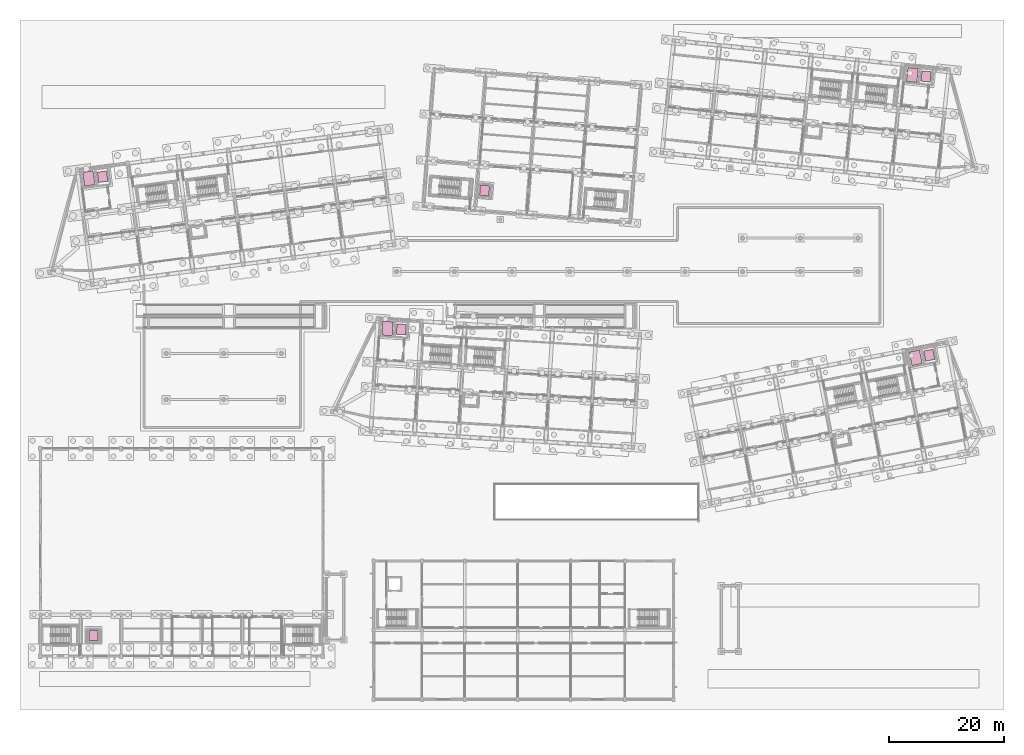
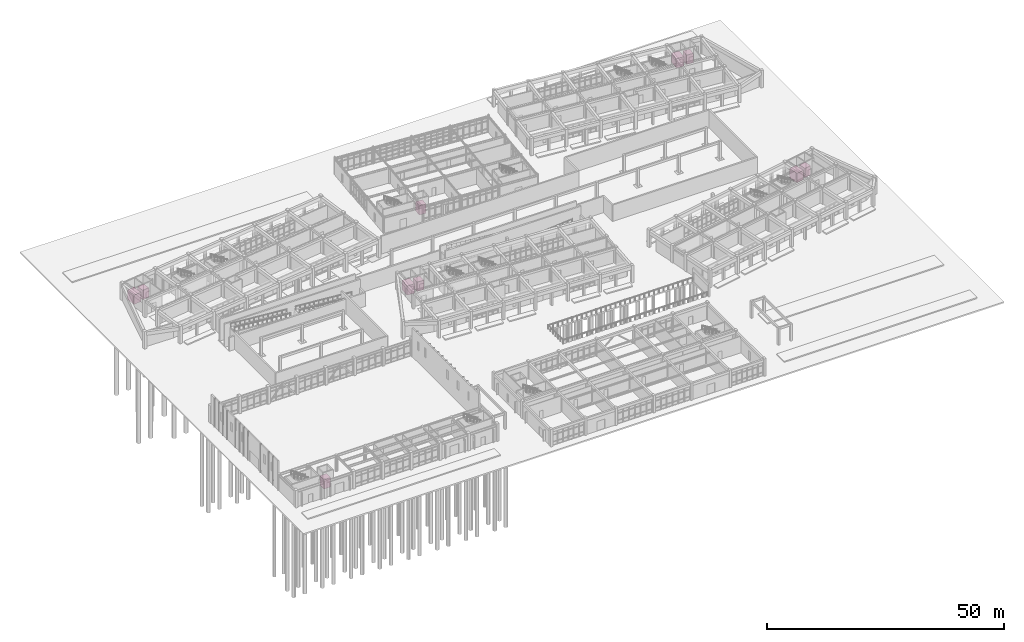
# One storey, part 154 of 154: 10 transport elements.
"""IFC4 building model written with IfcOpenShell, lengths in metres."""

from ifc_helpers import new_model, si_unit, direction, frame, origin, origin_2d, place, context, subcontext, project, spatial, rectangle, extrude, material, type_object, element, save


model = new_model("IFC4")

# Units and contexts
model_context = context("Model", 3, precision=1e-05, world=origin(), true_north=direction((0.0, 1.0)))
body_context = subcontext(model_context, "Body", "Model", "MODEL_VIEW")
ifc_project = project(units=[si_unit("LENGTHUNIT", "METRE"), si_unit("AREAUNIT", "SQUARE_METRE"), si_unit("VOLUMEUNIT", "CUBIC_METRE"), si_unit("PLANEANGLEUNIT", "RADIAN"), si_unit("MASSUNIT", "GRAM", prefix="KILO")], contexts=[model_context])

# Site, building, storey
site_placement = place(None, origin())
site = spatial("IfcSite", under=ifc_project, at=site_placement, CompositionType="ELEMENT")
building_placement = place(site_placement, origin())
building = spatial("IfcBuilding", under=site, at=building_placement, Name="Kestramere Prow Commons", CompositionType="ELEMENT")
storey_placement = place(building_placement, origin())
storey = spatial("IfcBuildingStorey", under=building, at=storey_placement, Name="L00", CompositionType="ELEMENT", Elevation=0.0)

# Transport elements
ifc_material_1 = material(Name="Stainless Steel 316 Fire Lift Car", Category="steel")
transport_element_type_1 = type_object("IfcTransportElementType", Name="TYPE-FL-A1", PredefinedType="ELEVATOR", material=ifc_material_1)
transport_element_1_placement = place(storey_placement, frame((10.59912109375, 90.353515625, 0.0), z_axis=(0.0, 0.0, 1.0), x_axis=(0.991444861374, 0.13052619222, 0.0)))
element("IfcTransportElement", 1, at=transport_element_1_placement, inside=storey, type_object=transport_element_type_1, Name="FL-A1 SCDF Emergency and Stretcher Lift (L00-L13)", PredefinedType="ELEVATOR", context=body_context, shape_type="SweptSolid", body=[
    extrude(rectangle(XDim=1.800048828125, YDim=2.39990234375, at=origin_2d()), origin(), (0.0, 0.0, 1.0), 2.39990234375),
])
transport_element_type_2 = type_object("IfcTransportElementType", Name="TYPE-FL-B1", PredefinedType="ELEVATOR", material=ifc_material_1)
transport_element_2_placement = place(storey_placement, frame((153.449951171875, 108.30712890625, 0.0), z_axis=(0.0, 0.0, 1.0), x_axis=(0.994521895368, -0.104528463268, 0.0)))
element("IfcTransportElement", 2, at=transport_element_2_placement, inside=storey, type_object=transport_element_type_2, Name="FL-B1 SCDF Emergency and Stretcher Lift (L00-L11)", PredefinedType="ELEVATOR", context=body_context, shape_type="SweptSolid", body=[
    extrude(rectangle(XDim=1.800048828125, YDim=2.39990234375, at=origin_2d()), origin(), (0.0, 0.0, 1.0), 2.39990234375),
])
transport_element_type_3 = type_object("IfcTransportElementType", Name="TYPE-FL-C1", PredefinedType="ELEVATOR", material=ifc_material_1)
transport_element_3_placement = place(storey_placement, frame((62.39404296875, 64.33154296875, 0.0), z_axis=(0.0, 0.0, 1.0), x_axis=(0.998134798422, -0.061048539535, 0.0)))
element("IfcTransportElement", 3, at=transport_element_3_placement, inside=storey, type_object=transport_element_type_3, Name="FL-C1 SCDF Emergency and Stretcher Lift (L00-L09)", PredefinedType="ELEVATOR", context=body_context, shape_type="SweptSolid", body=[
    extrude(rectangle(XDim=1.800048828125, YDim=2.39990234375, at=origin_2d()), origin(), (0.0, 0.0, 1.0), 2.39990234375),
])
transport_element_type_4 = type_object("IfcTransportElementType", Name="TYPE-FL-D1", PredefinedType="ELEVATOR", material=ifc_material_1)
transport_element_4_placement = place(storey_placement, frame((154.0390625, 59.239013671875, 0.0), z_axis=(0.0, 0.0, 1.0), x_axis=(0.981627183448, 0.190808995377, 0.0)))
element("IfcTransportElement", 4, at=transport_element_4_placement, inside=storey, type_object=transport_element_type_4, Name="FL-D1 SCDF Emergency and Stretcher Lift (L00-L08)", PredefinedType="ELEVATOR", context=body_context, shape_type="SweptSolid", body=[
    extrude(rectangle(XDim=1.800048828125, YDim=2.39990234375, at=origin_2d()), origin(), (0.0, 0.0, 1.0), 2.39990234375),
])
ifc_material_2 = material(Name="Stainless Steel 304 Passenger Lift Car", Category="steel")
transport_element_type_5 = type_object("IfcTransportElementType", Name="TYPE-PL-A2", PredefinedType="ELEVATOR", material=ifc_material_2)
transport_element_5_placement = place(storey_placement, frame((12.978759765625, 90.666748046875, 0.0), z_axis=(0.0, 0.0, 1.0), x_axis=(0.991444861374, 0.13052619222, 0.0)))
element("IfcTransportElement", 5, at=transport_element_5_placement, inside=storey, type_object=transport_element_type_5, Name="PL-A2 Accessible Passenger Lift (L00-L13)", PredefinedType="ELEVATOR", context=body_context, shape_type="SweptSolid", body=[
    extrude(rectangle(XDim=1.60009765625, YDim=1.800048828125, at=origin_2d()), origin(), (0.0, 0.0, 1.0), 2.39990234375),
])
transport_element_type_6 = type_object("IfcTransportElementType", Name="TYPE-PL-B2", PredefinedType="ELEVATOR", material=ifc_material_2)
transport_element_6_placement = place(storey_placement, frame((155.836669921875, 108.056396484375, 0.0), z_axis=(0.0, 0.0, 1.0), x_axis=(0.994521895368, -0.104528463268, 0.0)))
element("IfcTransportElement", 6, at=transport_element_6_placement, inside=storey, type_object=transport_element_type_6, Name="PL-B2 Accessible Passenger Lift (L00-L11)", PredefinedType="ELEVATOR", context=body_context, shape_type="SweptSolid", body=[
    extrude(rectangle(XDim=1.60009765625, YDim=1.800048828125, at=origin_2d()), origin(), (0.0, 0.0, 1.0), 2.39990234375),
])
transport_element_type_7 = type_object("IfcTransportElementType", Name="TYPE-PL-C2", PredefinedType="ELEVATOR", material=ifc_material_2)
transport_element_7_placement = place(storey_placement, frame((64.78955078125, 64.18505859375, 0.0), z_axis=(0.0, 0.0, 1.0), x_axis=(0.998134798422, -0.061048539535, 0.0)))
element("IfcTransportElement", 7, at=transport_element_7_placement, inside=storey, type_object=transport_element_type_7, Name="PL-C2 Accessible Passenger Lift (L00-L09)", PredefinedType="ELEVATOR", context=body_context, shape_type="SweptSolid", body=[
    extrude(rectangle(XDim=1.60009765625, YDim=1.800048828125, at=origin_2d()), origin(), (0.0, 0.0, 1.0), 2.39990234375),
])
transport_element_type_8 = type_object("IfcTransportElementType", Name="TYPE-PL-D2", PredefinedType="ELEVATOR", material=ifc_material_2)
transport_element_8_placement = place(storey_placement, frame((156.394775390625, 59.69677734375, 0.0), z_axis=(0.0, 0.0, 1.0), x_axis=(0.981627183448, 0.190808995377, 0.0)))
element("IfcTransportElement", 8, at=transport_element_8_placement, inside=storey, type_object=transport_element_type_8, Name="PL-D2 Accessible Passenger Lift (L00-L08)", PredefinedType="ELEVATOR", context=body_context, shape_type="SweptSolid", body=[
    extrude(rectangle(XDim=1.60009765625, YDim=1.800048828125, at=origin_2d()), origin(), (0.0, 0.0, 1.0), 2.39990234375),
])
transport_element_type_9 = type_object("IfcTransportElementType", Name="TYPE-PL-H1", PredefinedType="ELEVATOR", material=ifc_material_2)
transport_element_9_placement = place(storey_placement, frame((11.39990234375, 11.10009765625, 0.0), z_axis=(0.0, 0.0, 1.0), x_axis=(1.0, 0.0, 0.0)))
element("IfcTransportElement", 9, at=transport_element_9_placement, inside=storey, type_object=transport_element_type_9, Name="PL-H1 Accessible Passenger Lift (L00-L01)", PredefinedType="ELEVATOR", context=body_context, shape_type="SweptSolid", body=[
    extrude(rectangle(XDim=1.60009765625, YDim=1.75, at=origin_2d()), origin(), (0.0, 0.0, 1.0), 2.39990234375),
])
transport_element_type_10 = type_object("IfcTransportElementType", Name="TYPE-PL-N1", PredefinedType="ELEVATOR", material=ifc_material_2)
transport_element_10_placement = place(storey_placement, frame((79.25048828125, 88.27294921875, 0.0), z_axis=(0.0, 0.0, 1.0), x_axis=(0.996917333733, -0.078459095728, 0.0)))
element("IfcTransportElement", 10, at=transport_element_10_placement, inside=storey, type_object=transport_element_type_10, Name="PL-N1 Accessible Passenger Lift (L00-L02)", PredefinedType="ELEVATOR", context=body_context, shape_type="SweptSolid", body=[
    extrude(rectangle(XDim=1.60009765625, YDim=1.75, at=origin_2d()), origin(), (0.0, 0.0, 1.0), 2.39990234375),
])

save(model, "model.ifc")
